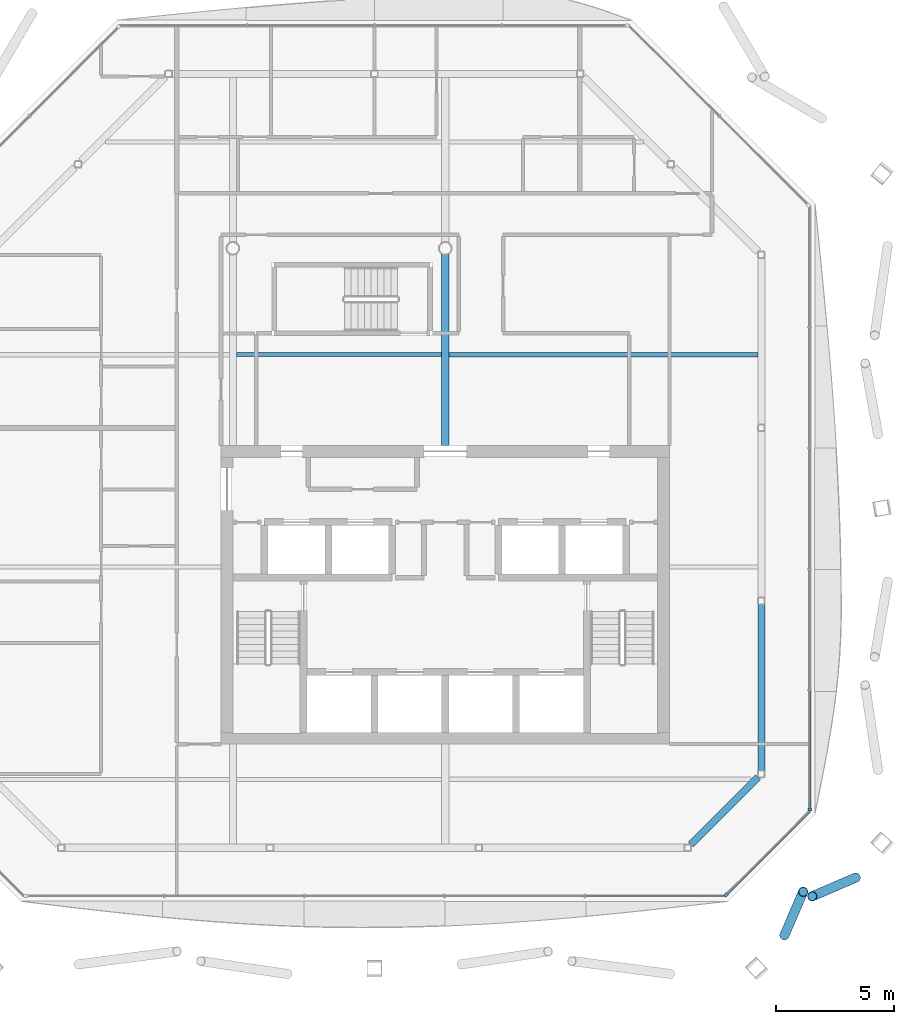
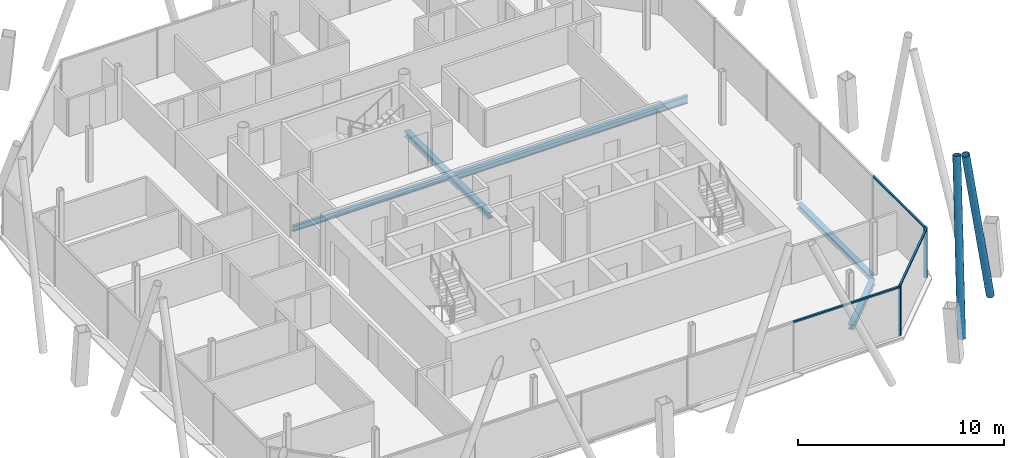
# One storey, part 7 of 17: 7 members, 5 beams, 3 elements without a shape of their own.
"""IFC4 building model written with IfcOpenShell, lengths in metres."""

from ifc_helpers import new_model, si_unit, direction, frame, origin, origin_2d, place, context, subcontext, project, spatial, rectangle, hollow_circle, i_section, extrude, material, material_profile, profile_set, type_object, element, aggregate, save


model = new_model("IFC4")

# Units and contexts
model_context = context("Model", 3, precision=1e-05, world=origin(), true_north=direction((0.0, 1.0)))
body_context = subcontext(model_context, "Body", "Model", "MODEL_VIEW")
ifc_project = project(units=[si_unit("LENGTHUNIT", "METRE"), si_unit("AREAUNIT", "SQUARE_METRE"), si_unit("VOLUMEUNIT", "CUBIC_METRE"), si_unit("PLANEANGLEUNIT", "RADIAN"), si_unit("MASSUNIT", "GRAM", prefix="KILO")], contexts=[model_context])

# Site, building, storey
site_placement = place(None, origin())
site = spatial("IfcSite", under=ifc_project, at=site_placement, CompositionType="ELEMENT")
building_placement = place(site_placement, origin())
building = spatial("IfcBuilding", under=site, at=building_placement, Name="Tskaro Facet Tower", CompositionType="ELEMENT")
storey_placement = place(building_placement, frame((0.0, 0.0, 226.64990234375)))
storey = spatial("IfcBuildingStorey", under=building, at=storey_placement, Name="L58", CompositionType="ELEMENT", Elevation=226.64990234375)

# Members
ifc_material_1 = material(Name="Steel S355J2H", Category="steel")
ifc_material_profile_1 = material_profile(ifc_material_1, hollow_circle(Radius=0.203125, WallThickness=0.02001953125, at=origin_2d()), Name="CHS 406.4x20")
ifc_profile_set_1 = profile_set([ifc_material_profile_1], Name="Steel S355J2H")
member_type_1 = type_object("IfcMemberType", Name="CHS 406.4x20 brace", PredefinedType="BRACE", material=ifc_profile_set_1)
for number, where, z_axis, x_axis, name in (
    (1, (14.36962890625, -20.099853515625, 0.0), (0.082108254756, 0.1906255973, 0.97822293786), (-0.918425547164, 0.395593875479, 0.0), "CHS 406.4x20 XB03A/5"),
    (2, (17.38720703125, -17.656982421875, 0.0), (-0.1906255973, -0.082108254756, 0.97822293786), (0.395593875479, -0.918425547164, 0.0), "CHS 406.4x20 XB03B/5"),
):
    element("IfcMember", number, at=place(storey_placement, frame(where, z_axis=z_axis, x_axis=x_axis)), inside=storey, type_object=member_type_1, Name=name, PredefinedType="BRACE", context=body_context, shape_type="SweptSolid", body=[
        extrude(hollow_circle(Radius=0.203125, WallThickness=0.02001953125, at=origin_2d()), origin(), (0.0, 0.0, 1.0), 9.66064453125),
    ])

# Curtain wall, member
ifc_material_2 = material(Name="Bronze anodised aluminium 6063-T6", Category="aluminium")
curtain_wall_type = type_object("IfcCurtainWallType", Name="Bronze residence curtain wall (FW3)", PredefinedType="NOTDEFINED", material=ifc_material_2)
curtain_wall_1_placement = place(storey_placement, origin())
curtain_wall_1 = element("IfcCurtainWall", 3, at=curtain_wall_1_placement, inside=storey, type_object=curtain_wall_type, Name="FW3 south-east facet L58", PredefinedType="NOTDEFINED")
ifc_material_profile_2 = material_profile(ifc_material_2, rectangle(XDim=0.139892578125, YDim=0.139892578125, at=origin_2d()), Name="Corner post 140x140")
ifc_profile_set_2 = profile_set([ifc_material_profile_2], Name="Bronze anodised aluminium 6063-T6")
member_type_2 = type_object("IfcMemberType", Name="FW3 bronze corner post 140x140", PredefinedType="MULLION", material=ifc_profile_set_2)
member_1_placement = place(storey_placement, frame((11.8935546875, -18.387451171875, 0.0), z_axis=(0.0, 0.0, 1.0), x_axis=(0.707106781187, 0.707106781187, 0.0)))
member_1 = element("IfcMember", 4, at=member_1_placement, type_object=member_type_2, Name="FW3 south-east corner post", PredefinedType="MULLION", context=body_context, shape_type="SweptSolid", body=[
    extrude(rectangle(XDim=0.139892578125, YDim=0.139892578125, at=origin_2d()), origin(), (0.0, 0.0, 1.0), 2.9501953125),
])

curtain_wall_2_placement = place(storey_placement, origin())
curtain_wall_2 = element("IfcCurtainWall", 5, at=curtain_wall_2_placement, inside=storey, type_object=curtain_wall_type, Name="FW3 east facet L58", PredefinedType="NOTDEFINED")
member_2_placement = place(storey_placement, frame((15.43701171875, -14.77392578125, 0.0), z_axis=(0.0, 0.0, 1.0), x_axis=(0.0, 1.0, 0.0)))
member_2 = element("IfcMember", 6, at=member_2_placement, type_object=member_type_2, Name="FW3 east corner post", PredefinedType="MULLION", context=body_context, shape_type="SweptSolid", body=[
    extrude(rectangle(XDim=0.139892578125, YDim=0.139892578125, at=origin_2d()), origin(), (0.0, 0.0, 1.0), 2.9501953125),
])

curtain_wall_3_placement = place(storey_placement, origin())
curtain_wall_3 = element("IfcCurtainWall", 7, at=curtain_wall_3_placement, inside=storey, type_object=curtain_wall_type, Name="FW3 south facet L58", PredefinedType="NOTDEFINED")
ifc_material_profile_3 = material_profile(ifc_material_2, rectangle(XDim=0.10009765625, YDim=0.090087890625, at=origin_2d()), Name="Transom 100x90")
ifc_profile_set_3 = profile_set([ifc_material_profile_3], Name="Bronze anodised aluminium 6063-T6")
member_type_3 = type_object("IfcMemberType", Name="FW3 bronze transom 100x90", PredefinedType="USERDEFINED", material=ifc_profile_set_3)
member_3_placement = place(storey_placement, frame((5.931396484375, -18.43701171875, 2.905029296875), z_axis=(1.0, 0.0, 0.0), x_axis=(0.0, 1.0, 0.0)))
member_3 = element("IfcMember", 8, at=member_3_placement, type_object=member_type_3, Name="FW3 south transom 5.1", ObjectType="TRANSOM", PredefinedType="USERDEFINED", context=body_context, shape_type="SweptSolid", body=[
    extrude(rectangle(XDim=0.10009765625, YDim=0.090087890625, at=origin_2d()), origin(), (0.0, 0.0, 1.0), 5.91259765625),
])
aggregate(curtain_wall_3, [member_3])

# Member
member_4_placement = place(storey_placement, frame((11.943115234375, -18.337890625, 2.905029296875), z_axis=(0.707106781187, 0.707106781187, 0.0), x_axis=(-0.707106781187, 0.707106781187, 0.0)))
member_4 = element("IfcMember", 9, at=member_4_placement, type_object=member_type_3, Name="FW3 south-east transom 1.1", ObjectType="TRANSOM", PredefinedType="USERDEFINED", context=body_context, shape_type="SweptSolid", body=[
    extrude(rectangle(XDim=0.10009765625, YDim=0.090087890625, at=origin_2d()), origin(), (0.0, 0.0, 1.0), 4.941162109375),
])

aggregate(curtain_wall_1, [member_1, member_4])

member_5_placement = place(storey_placement, frame((15.43701171875, -14.7041015625, 2.905029296875), z_axis=(0.0, 1.0, 0.0), x_axis=(-1.0, 0.0, 0.0)))
member_5 = element("IfcMember", 10, at=member_5_placement, type_object=member_type_3, Name="FW3 east transom 1.1", ObjectType="TRANSOM", PredefinedType="USERDEFINED", context=body_context, shape_type="SweptSolid", body=[
    extrude(rectangle(XDim=0.10009765625, YDim=0.090087890625, at=origin_2d()), origin(), (0.0, 0.0, 1.0), 4.959716796875),
])

aggregate(curtain_wall_2, [member_2, member_5])

# Beams
ifc_material_3 = material(Name="Steel S355J2", Category="steel")
ifc_material_profile_4 = material_profile(ifc_material_3, i_section(OverallWidth=0.300048828125, OverallDepth=0.300048828125, WebThickness=0.010986328125, FlangeThickness=0.01904296875, FilletRadius=0.027099609375, at=origin_2d()), Name="HE 300 B")
ifc_profile_set_4 = profile_set([ifc_material_profile_4], Name="Steel S355J2")
beam_type_1 = type_object("IfcBeamType", Name="HE 300 B ring beam", PredefinedType="BEAM", material=ifc_profile_set_4)
beam_1_placement = place(storey_placement, frame((10.40380859375, -16.255126953125, -0.289794921875), z_axis=(0.707106781187, 0.707106781187, 0.0), x_axis=(-0.707106781187, 0.707106781187, 0.0)))
element("IfcBeam", 11, at=beam_1_placement, inside=storey, type_object=beam_type_1, Name="HE 300 B EB4-5", PredefinedType="BEAM", context=body_context, shape_type="SweptSolid", body=[
    extrude(i_section(OverallWidth=0.300048828125, OverallDepth=0.300048828125, WebThickness=0.010986328125, FlangeThickness=0.01904296875, FilletRadius=0.027099609375, at=origin_2d()), origin(), (0.0, 0.0, 1.0), 4.032470703125),
])
beam_2_placement = place(storey_placement, frame((13.39111328125, -13.137939453125, -0.289794921875), z_axis=(0.0, 1.0, 0.0), x_axis=(-1.0, 0.0, 0.0)))
element("IfcBeam", 12, at=beam_2_placement, inside=storey, type_object=beam_type_1, Name="HE 300 B EB5-5", PredefinedType="BEAM", context=body_context, shape_type="SweptSolid", body=[
    extrude(i_section(OverallWidth=0.300048828125, OverallDepth=0.300048828125, WebThickness=0.010986328125, FlangeThickness=0.01904296875, FilletRadius=0.027099609375, at=origin_2d()), origin(), (0.0, 0.0, 1.0), 7.071044921875),
])
ifc_material_profile_5 = material_profile(ifc_material_3, i_section(OverallWidth=0.300048828125, OverallDepth=0.35009765625, WebThickness=0.010009765625, FlangeThickness=0.017578125, FilletRadius=0.027099609375, at=origin_2d()), Name="HE 360 A")
ifc_profile_set_5 = profile_set([ifc_material_profile_5], Name="Steel S355J2")
beam_type_2 = type_object("IfcBeamType", Name="HE 360 A girder", PredefinedType="BEAM", material=ifc_profile_set_5)
beam_3_placement = place(storey_placement, frame((0.0, 0.64990234375, -0.31494140625), z_axis=(0.0, 1.0, 0.0), x_axis=(-1.0, 0.0, 0.0)))
element("IfcBeam", 13, at=beam_3_placement, inside=storey, type_object=beam_type_2, Name="HE 360 A GB4-2-5", PredefinedType="BEAM", context=body_context, shape_type="SweptSolid", body=[
    extrude(i_section(OverallWidth=0.300048828125, OverallDepth=0.35009765625, WebThickness=0.010009765625, FlangeThickness=0.017578125, FilletRadius=0.027099609375, at=origin_2d()), origin(), (0.0, 0.0, 1.0), 8.1005859375),
])
ifc_material_profile_6 = material_profile(ifc_material_3, i_section(OverallWidth=0.159912109375, OverallDepth=0.330078125, WebThickness=0.007568359375, FlangeThickness=0.011474609375, FilletRadius=0.01806640625, at=origin_2d()), Name="IPE 330")
ifc_profile_set_6 = profile_set([ifc_material_profile_6], Name="Steel S355J2")
beam_type_3 = type_object("IfcBeamType", Name="IPE 330 secondary beam", PredefinedType="BEAM", material=ifc_profile_set_6)
beam_4_placement = place(storey_placement, frame((-8.85009765625, 4.5, -0.304931640625), z_axis=(1.0, 0.0, 0.0), x_axis=(0.0, 1.0, 0.0)))
element("IfcBeam", 14, at=beam_4_placement, inside=storey, type_object=beam_type_3, Name="IPE 330 SB4a-2-5", PredefinedType="BEAM", context=body_context, shape_type="SweptSolid", body=[
    extrude(i_section(OverallWidth=0.159912109375, OverallDepth=0.330078125, WebThickness=0.007568359375, FlangeThickness=0.011474609375, FilletRadius=0.01806640625, at=origin_2d()), origin(), (0.0, 0.0, 1.0), 8.7001953125),
])
ifc_material_profile_7 = material_profile(ifc_material_3, i_section(OverallWidth=0.18994140625, OverallDepth=0.449951171875, WebThickness=0.009521484375, FlangeThickness=0.0146484375, FilletRadius=0.02099609375, at=origin_2d()), Name="IPE 450")
ifc_profile_set_7 = profile_set([ifc_material_profile_7], Name="Steel S355J2")
beam_type_4 = type_object("IfcBeamType", Name="IPE 450 long secondary beam", PredefinedType="BEAM", material=ifc_profile_set_7)
beam_5_placement = place(storey_placement, frame((0.14990234375, 4.5, -0.364990234375), z_axis=(1.0, 0.0, 0.0), x_axis=(0.0, 1.0, 0.0)))
element("IfcBeam", 15, at=beam_5_placement, inside=storey, type_object=beam_type_4, Name="IPE 450 LSB4a-3-5", PredefinedType="BEAM", context=body_context, shape_type="SweptSolid", body=[
    extrude(i_section(OverallWidth=0.18994140625, OverallDepth=0.449951171875, WebThickness=0.009521484375, FlangeThickness=0.0146484375, FilletRadius=0.02099609375, at=origin_2d()), origin(), (0.0, 0.0, 1.0), 13.091064453125),
])

save(model, "model.ifc")
